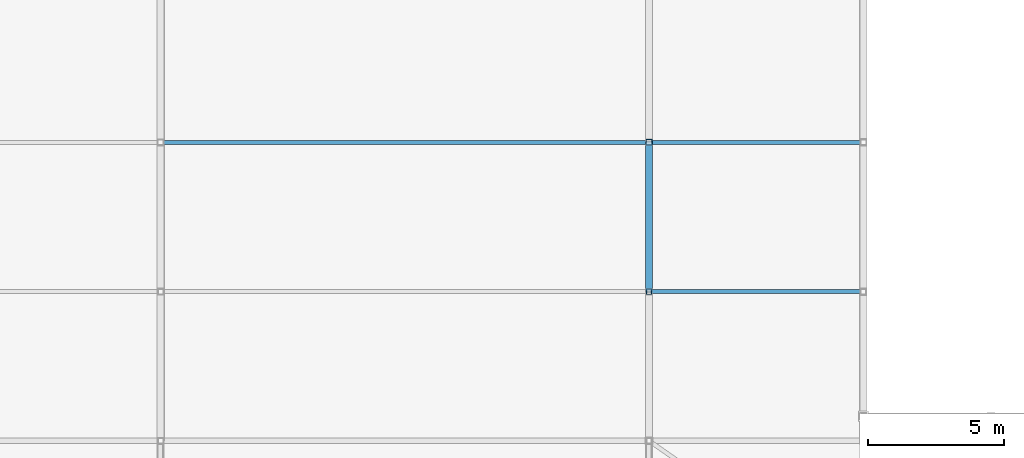
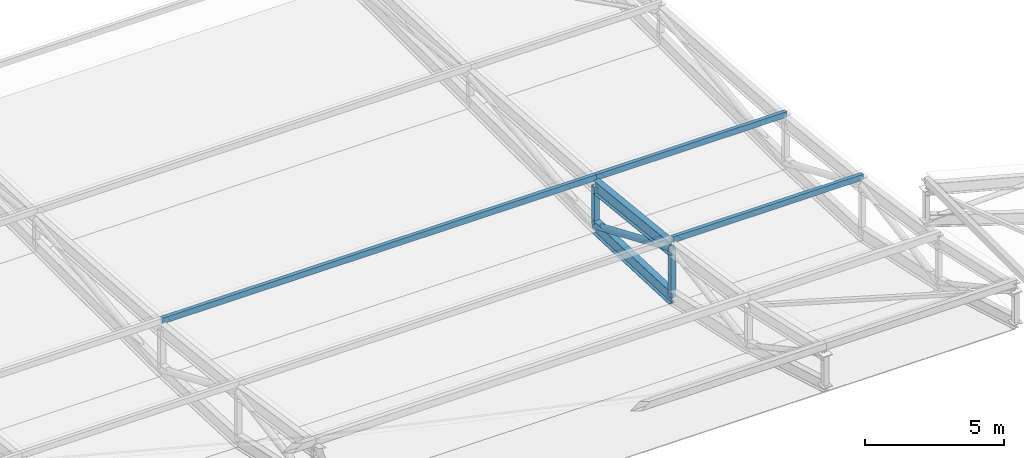
# One storey, part 62 of 114: 6 members, 2 beams.
"""IFC4 building model written with IfcOpenShell, lengths in metres."""

import ifcopenshell
import ifcopenshell.guid

model = None  # the IFC model being written
_history = None  # IfcOwnerHistory: only IFC2X3 demands one
_inside = {}  # id of a spatial element -> (the spatial element, [elements in it])
_under = {}  # id of a project, library or spatial element -> (it, [spatial elements below it])
_declared = {}  # id of a project -> (the project, [libraries it declares])
_typed = {}  # id of a type object -> (the type object, [elements of that type])
_made_of = {}  # id of a material, layer set ... -> (it, [elements and type objects made of it])


def new_model(schema):
    """Start an empty IFC model of exactly this schema.

    Asked for "IFC4X3", IfcOpenShell would pick the latest addendum, in which some entities
    have other attributes; the version numbers below select the first issue.
    IFC2X3 requires an IfcOwnerHistory on every rooted entity: one is made here for all.
    """
    global model, _history
    if schema == "IFC4X3":
        model = ifcopenshell.file(schema_version=(4, 3, 0, 0))
    else:
        model = ifcopenshell.file(schema=schema)
    _inside.clear()
    _under.clear()
    _declared.clear()
    _typed.clear()
    _made_of.clear()
    _history = None
    if model.schema == "IFC2X3":
        org = make("IfcOrganization", Name="unknown")
        user = make(
            "IfcPersonAndOrganization",
            ThePerson=make("IfcPerson", FamilyName="unknown"),
            TheOrganization=org,
        )
        app = make(
            "IfcApplication",
            ApplicationDeveloper=org,
            Version="unknown",
            ApplicationFullName="unknown",
            ApplicationIdentifier="unknown",
        )
        _history = make(
            "IfcOwnerHistory",
            OwningUser=user,
            OwningApplication=app,
            ChangeAction="ADDED",
            CreationDate=0,
        )
    return model


def make(cls, **values):
    """One entity of the class cls with the attributes given. An attribute that is None is left unset."""
    return model.create_entity(
        cls, **{name: value for name, value in values.items() if value is not None}
    )


def rooted(cls, **values):
    """An entity with a GlobalId (a new one), such as an element, a storey or a relation."""
    return make(cls, GlobalId=ifcopenshell.guid.new(), OwnerHistory=_history, **values)


def si_unit(unit_type, name, prefix=None):
    """IfcSIUnit, for example si_unit("LENGTHUNIT", "METRE", prefix="MILLI")."""
    return make("IfcSIUnit", UnitType=unit_type, Prefix=prefix, Name=name)


def assignment(units):
    """IfcUnitAssignment: the units of a project."""
    return None if units is None else make("IfcUnitAssignment", Units=units)


def point(xyz):
    """IfcCartesianPoint."""
    return None if xyz is None else make("IfcCartesianPoint", Coordinates=xyz)


def direction(xyz):
    """IfcDirection."""
    return None if xyz is None else make("IfcDirection", DirectionRatios=xyz)


def frame(location, z_axis=None, x_axis=None):
    """IfcAxis2Placement3D, a coordinate frame: its origin and axes. An axis left out is left unset."""
    return make(
        "IfcAxis2Placement3D",
        Location=point(location),
        Axis=direction(z_axis),
        RefDirection=direction(x_axis),
    )


def frame_2d(location, x_axis=None):
    """IfcAxis2Placement2D, a coordinate frame in the plane: its origin and x axis."""
    return make(
        "IfcAxis2Placement2D", Location=point(location), RefDirection=direction(x_axis)
    )


def origin():
    """The frame at (0, 0, 0) with its axes left unset."""
    return frame((0.0, 0.0, 0.0))


def origin_2d():
    """The frame at (0, 0) in the plane with its x axis left unset."""
    return frame_2d((0.0, 0.0))


def place(relative_to, where):
    """IfcLocalPlacement: puts the frame where relative to a parent placement (None: the world)."""
    return make(
        "IfcLocalPlacement", PlacementRelTo=relative_to, RelativePlacement=where
    )


def context(
    kind, dimensions, precision=None, world=None, true_north=None, identifier=None
):
    """IfcGeometricRepresentationContext, for example the 3D "Model" context."""
    return make(
        "IfcGeometricRepresentationContext",
        ContextIdentifier=identifier,
        ContextType=kind,
        CoordinateSpaceDimension=dimensions,
        Precision=precision,
        WorldCoordinateSystem=world,
        TrueNorth=true_north,
    )


def subcontext(parent, identifier, kind, view, scale=None):
    """IfcGeometricRepresentationSubContext, for example "Body" below "Model"."""
    return make(
        "IfcGeometricRepresentationSubContext",
        ContextIdentifier=identifier,
        ContextType=kind,
        ParentContext=parent,
        TargetScale=scale,
        TargetView=view,
    )


def project(units=None, contexts=None):
    """IfcProject with its units and contexts."""
    return rooted(
        "IfcProject",
        Name="project",
        RepresentationContexts=contexts,
        UnitsInContext=assignment(units),
    )


def spatial(cls, under=None, at=None, **own):
    """A site, building, storey or space (cls), placed at a placement, below another one or the project."""
    s = rooted(cls, ObjectPlacement=at, **own)
    if under is not None:
        _under.setdefault(under.id(), (under, []))[1].append(s)
    return s


def profile(cls, at=None, kind="AREA", **sizes):
    """A parametric profile (cls). Its sizes go by their IFC names, for example OverallWidth=200.0."""
    return make(cls, ProfileType=kind, Position=at, **sizes)


def hollow_rectangle(**sizes):
    """IfcRectangleHollowProfileDef."""
    return profile("IfcRectangleHollowProfileDef", **sizes)


def hollow_circle(**sizes):
    """IfcCircleHollowProfileDef."""
    return profile("IfcCircleHollowProfileDef", **sizes)


def i_section(**sizes):
    """IfcIShapeProfileDef."""
    return profile("IfcIShapeProfileDef", **sizes)


def extrude(swept, where, along, depth):
    """IfcExtrudedAreaSolid: the profile swept, set in the frame where, extruded along a direction by depth."""
    return make(
        "IfcExtrudedAreaSolid",
        SweptArea=swept,
        Position=where,
        ExtrudedDirection=direction(along),
        Depth=depth,
    )


def shape(context_of_items, identifier, shape_type, items):
    """IfcShapeRepresentation: the items that make up one representation, for example the "Body"."""
    return make(
        "IfcShapeRepresentation",
        ContextOfItems=context_of_items,
        RepresentationIdentifier=identifier,
        RepresentationType=shape_type,
        Items=items,
    )


def material(Name=None, Category=None):
    """IfcMaterial."""
    return make("IfcMaterial", Name=Name, Category=Category)


def material_profile(
    of_material, cross_section, Name=None, Category=None, Priority=None
):
    """IfcMaterialProfile: a cross section and its material."""
    return make(
        "IfcMaterialProfile",
        Name=Name,
        Material=of_material,
        Profile=cross_section,
        Priority=Priority,
        Category=Category,
    )


def profile_set(profiles, Name=None, composite=None):
    """IfcMaterialProfileSet."""
    return make(
        "IfcMaterialProfileSet",
        Name=Name,
        MaterialProfiles=profiles,
        CompositeProfile=composite,
    )


def made_of(thing, what):
    """Note that an element or type object is made of a material, layer set ...; save() writes the relation."""
    if what is not None:
        _made_of.setdefault(what.id(), (what, []))[1].append(thing)
    return thing


def type_object(cls, material=None, **own):
    """A type object (cls), such as IfcWallType, which elements share."""
    return made_of(rooted(cls, **own), material)


def element(
    cls,
    number,
    at=None,
    inside=None,
    cuts=None,
    type_object=None,
    material=None,
    context=None,
    identifier="Body",
    shape_type=None,
    held_by="IfcProductDefinitionShape",
    body=None,
    shapes=None,
    **own,
):
    """One element of the class cls, such as IfcWall. Its Tag is "e" and its number.

    at: its placement. inside: the storey or other place that contains it. cuts: it is an
    opening in that element (IfcRelVoidsElement). A single representation is given by context,
    identifier, shape_type and body (its items); several are given by shapes. held_by: the class
    of the entity that holds the representations. save() writes the other relations.
    """
    e = rooted(cls, Tag="e%d" % number, ObjectPlacement=at, **own)
    if body is not None:
        shapes = [shape(context, identifier, shape_type, body)]
    if shapes is not None:
        e.Representation = make(held_by, Representations=shapes)
    if inside is not None:
        _inside.setdefault(inside.id(), (inside, []))[1].append(e)
    if cuts is not None:
        rooted(
            "IfcRelVoidsElement", RelatingBuildingElement=cuts, RelatedOpeningElement=e
        )
    if type_object is not None:
        _typed.setdefault(type_object.id(), (type_object, []))[1].append(e)
    return made_of(e, material)


def aggregate(whole, parts):
    """IfcRelAggregates: a whole, such as a stair, and the parts it consists of."""
    return rooted("IfcRelAggregates", RelatingObject=whole, RelatedObjects=parts)


def save(model, path):
    """Write the relations noted so far, then the file.

    IfcRelAggregates (storeys below a building ...), IfcRelContainedInSpatialStructure (elements
    in a storey), IfcRelDefinesByType, IfcRelAssociatesMaterial and IfcRelDeclares: one each for
    every whole, place, type object, material and project.
    """
    for whole, parts in _under.values():
        aggregate(whole, parts)
    for where, things in _inside.values():
        rooted(
            "IfcRelContainedInSpatialStructure",
            RelatedElements=things,
            RelatingStructure=where,
        )
    for kind, things in _typed.values():
        rooted("IfcRelDefinesByType", RelatedObjects=things, RelatingType=kind)
    for what, things in _made_of.values():
        rooted("IfcRelAssociatesMaterial", RelatedObjects=things, RelatingMaterial=what)
    for by, libraries in _declared.values():
        rooted("IfcRelDeclares", RelatingContext=by, RelatedDefinitions=libraries)
    model.write(path)


model = new_model("IFC4")

# Units and contexts
model_context = context("Model", 3, precision=1e-05, world=origin(), true_north=direction((0.0, 1.0)))
body_context = subcontext(model_context, "Body", "Model", "MODEL_VIEW")
ifc_project = project(units=[si_unit("LENGTHUNIT", "METRE"), si_unit("AREAUNIT", "SQUARE_METRE"), si_unit("VOLUMEUNIT", "CUBIC_METRE"), si_unit("PLANEANGLEUNIT", "RADIAN"), si_unit("MASSUNIT", "GRAM", prefix="KILO"), si_unit("THERMODYNAMICTEMPERATUREUNIT", "KELVIN"), si_unit("POWERUNIT", "WATT")], contexts=[model_context])

# Site, building, storey
site_placement = place(None, origin())
site = spatial("IfcSite", under=ifc_project, at=site_placement, CompositionType="ELEMENT")
building_placement = place(site_placement, origin())
building = spatial("IfcBuilding", under=site, at=building_placement, Name="Sindhuravela Promenade Stadium", CompositionType="ELEMENT")
storey_placement = place(building_placement, frame((0.0, 0.0, 24.0)))
storey = spatial("IfcBuildingStorey", under=building, at=storey_placement, Name="L05", CompositionType="ELEMENT", Elevation=24.0)

# Beams
ifc_material = material(Name="Steel E350 (IS 2062 E350BR)", Category="steel")
ifc_material_profile_1 = material_profile(ifc_material, i_section(OverallWidth=0.25, OverallDepth=0.60009765625, WebThickness=0.01171875, FlangeThickness=0.023681640625, FilletRadius=0.01708984375, at=origin_2d()), Name="ISWB 600")
ifc_profile_set_1 = profile_set([ifc_material_profile_1], Name="Steel E350 (IS 2062 E350BR)")
beam_type = type_object("IfcBeamType", Name="ST-BM-WB600", PredefinedType="USERDEFINED", material=ifc_profile_set_1)
beam_1_placement = place(storey_placement, frame((153.0, 135.0, 1.76318359375), z_axis=(0.0, -0.9943078180575428, 0.1065455909441987), x_axis=(1.0, 0.0, 0.0)))
element("IfcBeam", 1, at=beam_1_placement, inside=storey, type_object=beam_type, Name="Roof truss RT-N08 top chord 3", ObjectType="ROOF TRUSS", PredefinedType="USERDEFINED", context=body_context, shape_type="SweptSolid", body=[
    extrude(i_section(OverallWidth=0.25, OverallDepth=0.60009765625, WebThickness=0.01171875, FlangeThickness=0.023681640625, FilletRadius=0.01708984375, at=origin_2d()), origin(), (0.0, 0.0, 1.0), 5.531494140625),
])
beam_2_placement = place(storey_placement, frame((153.0, 135.0, 0.0), z_axis=(0.0, -0.9991453279387894, 0.04133538022189949), x_axis=(1.0, 0.0, 0.0)))
element("IfcBeam", 2, at=beam_2_placement, inside=storey, type_object=beam_type, Name="Roof truss RT-N08 bottom chord 3", ObjectType="ROOF TRUSS", PredefinedType="USERDEFINED", context=body_context, shape_type="SweptSolid", body=[
    extrude(i_section(OverallWidth=0.25, OverallDepth=0.60009765625, WebThickness=0.01171875, FlangeThickness=0.023681640625, FilletRadius=0.01708984375, at=origin_2d()), origin(), (0.0, 0.0, 1.0), 5.504638671875),
])

# Members
ifc_material_profile_2 = material_profile(ifc_material, hollow_circle(Radius=0.136474609375, WallThickness=0.010009765625, at=origin_2d()), Name="CHS 273.0x10")
ifc_profile_set_2 = profile_set([ifc_material_profile_2], Name="Steel E350 (IS 2062 E350BR)")
member_type_1 = type_object("IfcMemberType", Name="ST-MB-CHS273", PredefinedType="BRACE", material=ifc_profile_set_2)
member_1_placement = place(storey_placement, frame((153.0, 135.0, 0.0), z_axis=(0.0, -0.9194234507496676, 0.3932690150667524), x_axis=(1.0, 0.0, 0.0)))
element("IfcMember", 3, at=member_1_placement, inside=storey, type_object=member_type_1, Name="Roof truss RT-N08 diagonal web 3", PredefinedType="BRACE", context=body_context, shape_type="SweptSolid", body=[
    extrude(hollow_circle(Radius=0.136474609375, WallThickness=0.010009765625, at=origin_2d()), origin(), (0.0, 0.0, 1.0), 5.98193359375),
])
ifc_material_profile_3 = material_profile(ifc_material, hollow_rectangle(XDim=0.14990234375, YDim=0.25, WallThickness=0.010009765625, at=origin_2d()), Name="RHS 250x150x10")
ifc_profile_set_3 = profile_set([ifc_material_profile_3], Name="Steel E350 (IS 2062 E350BR)")
member_type_2 = type_object("IfcMemberType", Name="ST-MB-RHS250", PredefinedType="PURLIN", material=ifc_profile_set_3)
member_2_placement = place(storey_placement, frame((135.0, 135.0, 2.1552734375), z_axis=(1.0, 0.0, 0.0), x_axis=(0.0, 1.0, 0.0)))
element("IfcMember", 4, at=member_2_placement, inside=storey, type_object=member_type_2, Name="Roof purlin PR01 N bay 7.3", PredefinedType="PURLIN", context=body_context, shape_type="SweptSolid", body=[
    extrude(hollow_rectangle(XDim=0.14990234375, YDim=0.25, WallThickness=0.010009765625, at=origin_2d()), origin(), (0.0, 0.0, 1.0), 18.0),
])
for number, where, z_axis, x_axis, name in (
    (5, (153.0, 135.0, 2.1552734375), (1.0, 0.0, 0.0), (0.0, 1.0, 0.0), "Roof purlin PR01 N bay 8.3"),
    (6, (153.0, 129.5, 2.744384765625), (1.0, 0.0, 0.0), (0.0, 1.0, 0.0), "Roof purlin PR01 N bay 8.4"),
):
    element("IfcMember", number, at=place(storey_placement, frame(where, z_axis=z_axis, x_axis=x_axis)), inside=storey, type_object=member_type_2, Name=name, PredefinedType="PURLIN", context=body_context, shape_type="SweptSolid", body=[
        extrude(hollow_rectangle(XDim=0.14990234375, YDim=0.25, WallThickness=0.010009765625, at=origin_2d()), origin(), (0.0, 0.0, 1.0), 7.89990234375),
    ])
ifc_material_profile_4 = material_profile(ifc_material, hollow_rectangle(XDim=0.199951171875, YDim=0.199951171875, WallThickness=0.010009765625, at=origin_2d()), Name="SHS 200x200x10")
ifc_profile_set_4 = profile_set([ifc_material_profile_4], Name="Steel E350 (IS 2062 E350BR)")
member_type_3 = type_object("IfcMemberType", Name="ST-MB-SHS200", PredefinedType="POST", material=ifc_profile_set_4)
member_3_placement = place(storey_placement, frame((153.0, 129.5, 0.2275390625), z_axis=(0.0, 0.0, 1.0), x_axis=(1.0, 0.0, 0.0)))
element("IfcMember", 7, at=member_3_placement, inside=storey, type_object=member_type_3, Name="Roof truss RT-N08 vertical post 4", PredefinedType="POST", context=body_context, shape_type="SweptSolid", body=[
    extrude(hollow_rectangle(XDim=0.199951171875, YDim=0.199951171875, WallThickness=0.010009765625, at=origin_2d()), origin(), (0.0, 0.0, 1.0), 2.125),
])
ifc_material_profile_5 = material_profile(ifc_material, hollow_rectangle(XDim=0.219970703125, YDim=0.219970703125, WallThickness=0.011962890625, at=origin_2d()), Name="SHS 220x220x12")
ifc_profile_set_5 = profile_set([ifc_material_profile_5], Name="Steel E350 (IS 2062 E350BR)")
member_type_4 = type_object("IfcMemberType", Name="ST-MB-SHS220", PredefinedType="POST", material=ifc_profile_set_5)
member_4_placement = place(storey_placement, frame((153.0, 135.0, 0.0), z_axis=(0.0, 0.0, 1.0), x_axis=(1.0, 0.0, 0.0)))
element("IfcMember", 8, at=member_4_placement, inside=storey, type_object=member_type_4, Name="Roof truss RT-N08 vertical post 3", PredefinedType="POST", context=body_context, shape_type="SweptSolid", body=[
    extrude(hollow_rectangle(XDim=0.219970703125, YDim=0.219970703125, WallThickness=0.011962890625, at=origin_2d()), origin(), (0.0, 0.0, 1.0), 1.76318359375),
])

save(model, "model.ifc")
